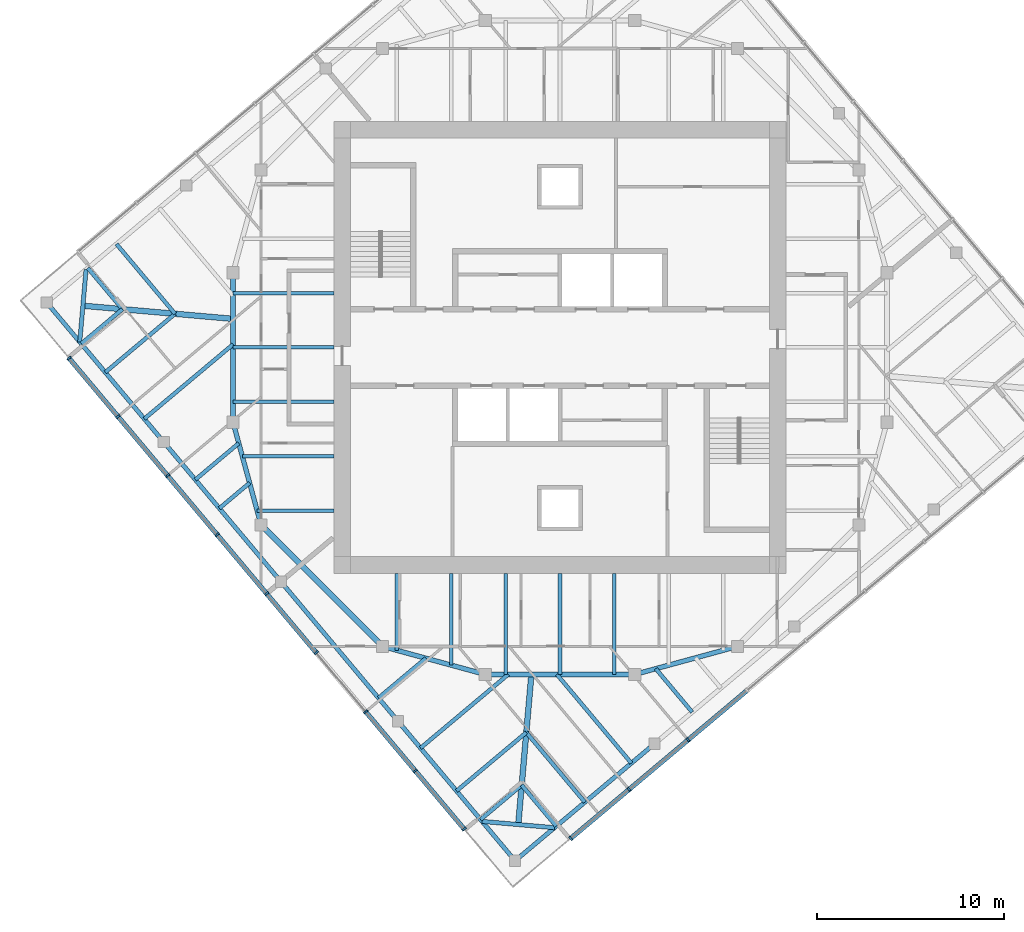
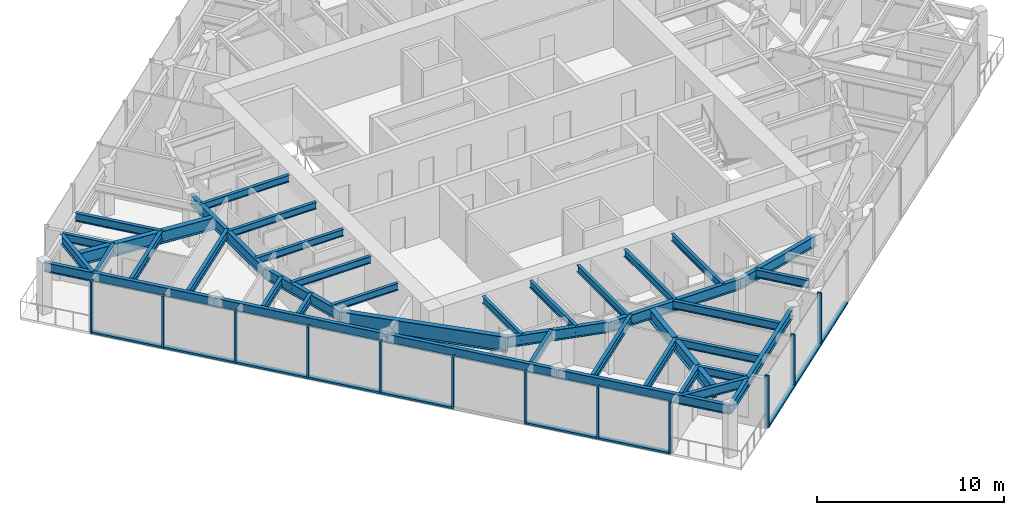
# One storey, part 2 of 12: 40 beams, 22 members, 2 elements without a shape of their own.
"""IFC4 building model written with IfcOpenShell, lengths in metres."""

from ifc_helpers import new_model, si_unit, direction, frame, origin, origin_2d, place, context, subcontext, project, spatial, rectangle, i_section, extrude, material, material_profile, profile_set, type_object, element, aggregate, save


model = new_model("IFC4")

# Units and contexts
model_context = context("Model", 3, precision=1e-05, world=origin(), true_north=direction((0.0, 1.0)))
body_context = subcontext(model_context, "Body", "Model", "MODEL_VIEW")
ifc_project = project(units=[si_unit("LENGTHUNIT", "METRE"), si_unit("AREAUNIT", "SQUARE_METRE"), si_unit("VOLUMEUNIT", "CUBIC_METRE"), si_unit("PLANEANGLEUNIT", "RADIAN"), si_unit("MASSUNIT", "GRAM", prefix="KILO")], contexts=[model_context])

# Site, building, storey
site_placement = place(None, origin())
site = spatial("IfcSite", under=ifc_project, at=site_placement, CompositionType="ELEMENT")
building_placement = place(site_placement, origin())
building = spatial("IfcBuilding", under=site, at=building_placement, Name="Torsade Residences", CompositionType="ELEMENT")
storey_placement = place(building_placement, frame((0.0, 0.0, 282.800048828125)))
storey = spatial("IfcBuildingStorey", under=building, at=storey_placement, Name="L78", CompositionType="ELEMENT", Elevation=282.800048828125)

# Beams
ifc_material_1 = material(Name="Steel grade 300", Category="steel")
ifc_material_profile_1 = material_profile(ifc_material_1, i_section(OverallWidth=0.300048828125, OverallDepth=0.800048828125, WebThickness=0.010009765625, FlangeThickness=0.02001953125, at=origin_2d()), Name="800WB146")
ifc_profile_set_1 = profile_set([ifc_material_profile_1], Name="Steel grade 300")
beam_type_1 = type_object("IfcBeamType", Name="CORNER GIRDER 800WB146", PredefinedType="BEAM", material=ifc_profile_set_1)
for number, where, z_axis, x_axis, name in (
    (1, (37.765869140625, 4.46484375, 2.849853515625), (0.087172957961, 0.996193191806, 0.0), (-0.996193191806, 0.087172957961, 0.0), "Corner girder 01 L79"),
    (2, (14.46484375, 32.234130859375, 2.849853515625), (0.996193191806, -0.087172957961, 0.0), (0.087172957961, 0.996193191806, 0.0), "Corner girder 13 L79"),
):
    element("IfcBeam", number, at=place(storey_placement, frame(where, z_axis=z_axis, x_axis=x_axis)), inside=storey, type_object=beam_type_1, Name=name, PredefinedType="BEAM", context=body_context, shape_type="SweptSolid", body=[
        extrude(i_section(OverallWidth=0.300048828125, OverallDepth=0.800048828125, WebThickness=0.010009765625, FlangeThickness=0.02001953125, at=origin_2d()), origin(), (0.0, 0.0, 1.0), 8.06591796875),
    ])
ifc_material_2 = material(Name="Steel grade 300", Category="steel")
ifc_material_profile_2 = material_profile(ifc_material_2, i_section(OverallWidth=0.22802734375, OverallDepth=0.60205078125, WebThickness=0.010498046875, FlangeThickness=0.014892578125, FilletRadius=0.013916015625, at=origin_2d()), Name="610UB101")
ifc_profile_set_2 = profile_set([ifc_material_profile_2], Name="Steel grade 300")
beam_type_2 = type_object("IfcBeamType", Name="CORNER TRIMMER 610UB101", PredefinedType="BEAM", material=ifc_profile_set_2)
for number, where, z_axis, x_axis, name in (
    (3, (39.703125, 4.29541015625, 2.948974609375), (-0.996196646947, 0.087133464362, 0.0), (-0.087133464362, -0.996196646947, 0.0), "Corner trimmer 01 L79"),
    (4, (14.29541015625, 30.296875, 2.948974609375), (0.087133464362, 0.996196646947, 0.0), (-0.996196646947, 0.087133464362, 0.0), "Corner trimmer 13 L79"),
):
    element("IfcBeam", number, at=place(storey_placement, frame(where, z_axis=z_axis, x_axis=x_axis)), inside=storey, type_object=beam_type_2, Name=name, PredefinedType="BEAM", context=body_context, shape_type="SweptSolid", body=[
        extrude(i_section(OverallWidth=0.22802734375, OverallDepth=0.60205078125, WebThickness=0.010498046875, FlangeThickness=0.014892578125, FilletRadius=0.013916015625, at=origin_2d()), origin(), (0.0, 0.0, 1.0), 3.88916015625),
    ])
ifc_material_3 = material(Name="Steel grade 300", Category="steel")
ifc_material_profile_3 = material_profile(ifc_material_3, i_section(OverallWidth=0.22802734375, OverallDepth=0.60205078125, WebThickness=0.010498046875, FlangeThickness=0.014892578125, FilletRadius=0.013916015625, at=origin_2d()), Name="610UB101")
ifc_profile_set_3 = profile_set([ifc_material_profile_3], Name="Steel grade 300")
beam_type_3 = type_object("IfcBeamType", Name="EDGE BEAM 610UB101", PredefinedType="SPANDREL", material=ifc_profile_set_3)
for number, where, z_axis, x_axis, name in (
    (5, (37.596435546875, 2.52783203125, 2.948974609375), (0.766051532934, 0.642779160279, 0.0), (-0.642779160279, 0.766051532934, 0.0), "Edge beam 01 L79"),
    (6, (12.52783203125, 32.403564453125, 2.948974609375), (0.642779160279, -0.766051532934, 0.0), (0.766051532934, 0.642779160279, 0.0), "Edge beam 13 L79"),
    (7, (18.794921875, 24.9345703125, 2.948974609375), (0.642779160279, -0.766051532934, 0.0), (0.766051532934, 0.642779160279, 0.0), "Edge beam 14 L79"),
    (8, (25.06201171875, 17.465576171875, 2.948974609375), (0.642806184154, -0.766028856906, 0.0), (0.766028856906, 0.642806184154, 0.0), "Edge beam 15 L79"),
    (9, (31.329345703125, 9.996826171875, 2.948974609375), (0.642779160279, -0.766051532934, 0.0), (0.766051532934, 0.642779160279, 0.0), "Edge beam 16 L79"),
):
    element("IfcBeam", number, at=place(storey_placement, frame(where, z_axis=z_axis, x_axis=x_axis)), inside=storey, type_object=beam_type_3, Name=name, PredefinedType="SPANDREL", context=body_context, shape_type="SweptSolid", body=[
        extrude(i_section(OverallWidth=0.22802734375, OverallDepth=0.60205078125, WebThickness=0.010498046875, FlangeThickness=0.014892578125, FilletRadius=0.013916015625, at=origin_2d()), origin(), (0.0, 0.0, 1.0), 9.75),
    ])

# Curtain wall, members
ifc_material_4 = material(Name="Aluminium and glass", Category="aluminium")
curtain_wall_type = type_object("IfcCurtainWallType", Name="FRITTED GLASS CURTAIN WALL HIGH ZONE", PredefinedType="NOTDEFINED", material=ifc_material_4)
curtain_wall_1_placement = place(storey_placement, origin())
curtain_wall_1 = element("IfcCurtainWall", 10, at=curtain_wall_1_placement, inside=storey, type_object=curtain_wall_type, Name="Curtain wall L78 face 1", PredefinedType="NOTDEFINED")
ifc_material_5 = material(Name="Aluminium mullion", Category="aluminium")
ifc_material_profile_4 = material_profile(ifc_material_5, rectangle(XDim=0.25, YDim=0.10009765625, at=origin_2d()), Name="HIGH ZONE CURTAIN WALL MULLION 250x100")
ifc_profile_set_4 = profile_set([ifc_material_profile_4], Name="Aluminium mullion")
member_type_1 = type_object("IfcMemberType", Name="HIGH ZONE CURTAIN WALL MULLION 250x100", PredefinedType="MULLION", material=ifc_profile_set_4)
member_1_placement = place(storey_placement, frame((40.57568359375, 3.72216796875, 0.0), z_axis=(0.0, 0.0, 1.0), x_axis=(-0.642787616853, 0.766044437106, 0.0)))
member_1 = element("IfcMember", 11, at=member_1_placement, type_object=member_type_1, Name="Mullion 1", PredefinedType="MULLION", context=body_context, shape_type="SweptSolid", body=[
    extrude(rectangle(XDim=0.25, YDim=0.10009765625, at=origin_2d()), origin(), (0.0, 0.0, 1.0), 3.39990234375),
])
member_2_placement = place(storey_placement, frame((43.697265625, 6.341552734375, 0.0), z_axis=(0.0, 0.0, 1.0), x_axis=(-0.642787616853, 0.766044437106, 0.0)))
member_2 = element("IfcMember", 12, at=member_2_placement, type_object=member_type_1, Name="Mullion 2", PredefinedType="MULLION", context=body_context, shape_type="SweptSolid", body=[
    extrude(rectangle(XDim=0.25, YDim=0.10009765625, at=origin_2d()), origin(), (0.0, 0.0, 1.0), 3.39990234375),
])
member_3_placement = place(storey_placement, frame((46.857177734375, 8.9931640625, 0.0), z_axis=(0.0, 0.0, 1.0), x_axis=(-0.642787616853, 0.766044437106, 0.0)))
member_3 = element("IfcMember", 13, at=member_3_placement, type_object=member_type_1, Name="Mullion 3", PredefinedType="MULLION", context=body_context, shape_type="SweptSolid", body=[
    extrude(rectangle(XDim=0.25, YDim=0.10009765625, at=origin_2d()), origin(), (0.0, 0.0, 1.0), 3.39990234375),
])

curtain_wall_2_placement = place(storey_placement, origin())
curtain_wall_2 = element("IfcCurtainWall", 14, at=curtain_wall_2_placement, inside=storey, type_object=curtain_wall_type, Name="Curtain wall L78 face 10", PredefinedType="NOTDEFINED")
member_4_placement = place(storey_placement, frame((13.72216796875, 29.42431640625, 0.0), z_axis=(0.0, 0.0, 1.0), x_axis=(0.766044437106, 0.642787616853, 0.0)))
member_4 = element("IfcMember", 15, at=member_4_placement, type_object=member_type_1, Name="Mullion 1", PredefinedType="MULLION", context=body_context, shape_type="SweptSolid", body=[
    extrude(rectangle(XDim=0.25, YDim=0.10009765625, at=origin_2d()), origin(), (0.0, 0.0, 1.0), 3.39990234375),
])
member_5_placement = place(storey_placement, frame((16.341552734375, 26.302734375, 0.0), z_axis=(0.0, 0.0, 1.0), x_axis=(0.766044437106, 0.642787616853, 0.0)))
member_5 = element("IfcMember", 16, at=member_5_placement, type_object=member_type_1, Name="Mullion 2", PredefinedType="MULLION", context=body_context, shape_type="SweptSolid", body=[
    extrude(rectangle(XDim=0.25, YDim=0.10009765625, at=origin_2d()), origin(), (0.0, 0.0, 1.0), 3.39990234375),
])
member_6_placement = place(storey_placement, frame((18.9931640625, 23.142822265625, 0.0), z_axis=(0.0, 0.0, 1.0), x_axis=(0.766044437106, 0.642787616853, 0.0)))
member_6 = element("IfcMember", 17, at=member_6_placement, type_object=member_type_1, Name="Mullion 3", PredefinedType="MULLION", context=body_context, shape_type="SweptSolid", body=[
    extrude(rectangle(XDim=0.25, YDim=0.10009765625, at=origin_2d()), origin(), (0.0, 0.0, 1.0), 3.39990234375),
])
member_7_placement = place(storey_placement, frame((21.64453125, 19.982666015625, 0.0), z_axis=(0.0, 0.0, 1.0), x_axis=(0.766044437106, 0.642787616853, 0.0)))
member_7 = element("IfcMember", 18, at=member_7_placement, type_object=member_type_1, Name="Mullion 4", PredefinedType="MULLION", context=body_context, shape_type="SweptSolid", body=[
    extrude(rectangle(XDim=0.25, YDim=0.10009765625, at=origin_2d()), origin(), (0.0, 0.0, 1.0), 3.39990234375),
])
member_8_placement = place(storey_placement, frame((24.296142578125, 16.82275390625, 0.0), z_axis=(0.0, 0.0, 1.0), x_axis=(0.766044437106, 0.642787616853, 0.0)))
member_8 = element("IfcMember", 19, at=member_8_placement, type_object=member_type_1, Name="Mullion 5", PredefinedType="MULLION", context=body_context, shape_type="SweptSolid", body=[
    extrude(rectangle(XDim=0.25, YDim=0.10009765625, at=origin_2d()), origin(), (0.0, 0.0, 1.0), 3.39990234375),
])
member_9_placement = place(storey_placement, frame((26.947509765625, 13.662841796875, 0.0), z_axis=(0.0, 0.0, 1.0), x_axis=(0.766044437106, 0.642787616853, 0.0)))
member_9 = element("IfcMember", 20, at=member_9_placement, type_object=member_type_1, Name="Mullion 6", PredefinedType="MULLION", context=body_context, shape_type="SweptSolid", body=[
    extrude(rectangle(XDim=0.25, YDim=0.10009765625, at=origin_2d()), origin(), (0.0, 0.0, 1.0), 3.39990234375),
])
member_10_placement = place(storey_placement, frame((29.59912109375, 10.5029296875, 0.0), z_axis=(0.0, 0.0, 1.0), x_axis=(0.766044437106, 0.642787616853, 0.0)))
member_10 = element("IfcMember", 21, at=member_10_placement, type_object=member_type_1, Name="Mullion 7", PredefinedType="MULLION", context=body_context, shape_type="SweptSolid", body=[
    extrude(rectangle(XDim=0.25, YDim=0.10009765625, at=origin_2d()), origin(), (0.0, 0.0, 1.0), 3.39990234375),
])
member_11_placement = place(storey_placement, frame((32.25048828125, 7.343017578125, 0.0), z_axis=(0.0, 0.0, 1.0), x_axis=(0.766044437106, 0.642787616853, 0.0)))
member_11 = element("IfcMember", 22, at=member_11_placement, type_object=member_type_1, Name="Mullion 8", PredefinedType="MULLION", context=body_context, shape_type="SweptSolid", body=[
    extrude(rectangle(XDim=0.25, YDim=0.10009765625, at=origin_2d()), origin(), (0.0, 0.0, 1.0), 3.39990234375),
])
member_12_placement = place(storey_placement, frame((34.869873046875, 4.221435546875, 0.0), z_axis=(0.0, 0.0, 1.0), x_axis=(0.766044437106, 0.642787616853, 0.0)))
member_12 = element("IfcMember", 23, at=member_12_placement, type_object=member_type_1, Name="Mullion 9", PredefinedType="MULLION", context=body_context, shape_type="SweptSolid", body=[
    extrude(rectangle(XDim=0.25, YDim=0.10009765625, at=origin_2d()), origin(), (0.0, 0.0, 1.0), 3.39990234375),
])

# Member
ifc_material_6 = material(Name="Aluminium transom", Category="aluminium")
ifc_material_profile_5 = material_profile(ifc_material_6, rectangle(XDim=0.25, YDim=0.1201171875, at=origin_2d()), Name="HIGH ZONE CURTAIN WALL TRANSOM 250x120")
ifc_profile_set_5 = profile_set([ifc_material_profile_5], Name="Aluminium transom")
member_type_2 = type_object("IfcMemberType", Name="HIGH ZONE CURTAIN WALL TRANSOM 250x120", PredefinedType="USERDEFINED", material=ifc_profile_set_5)
member_13_placement = place(storey_placement, frame((40.614013671875, 3.75439453125, 0.06005859375), z_axis=(0.766021778456, 0.642814619413, 0.0), x_axis=(-0.642814619413, 0.766021778456, 0.0)))
member_13 = element("IfcMember", 24, at=member_13_placement, type_object=member_type_2, Name="Transom 1.1", ObjectType="TRANSOM", PredefinedType="USERDEFINED", context=body_context, shape_type="SweptSolid", body=[
    extrude(rectangle(XDim=0.25, YDim=0.1201171875, at=origin_2d()), origin(), (0.0, 0.0, 1.0), 3.97509765625),
])

member_14_placement = place(storey_placement, frame((43.735595703125, 6.373779296875, 0.06005859375), z_axis=(0.766069182322, 0.6427581255, 0.0), x_axis=(-0.6427581255, 0.766069182322, 0.0)))
member_14 = element("IfcMember", 25, at=member_14_placement, type_object=member_type_2, Name="Transom 2.1", ObjectType="TRANSOM", PredefinedType="USERDEFINED", context=body_context, shape_type="SweptSolid", body=[
    extrude(rectangle(XDim=0.25, YDim=0.1201171875, at=origin_2d()), origin(), (0.0, 0.0, 1.0), 4.025146484375),
])

member_15_placement = place(storey_placement, frame((46.8955078125, 9.025146484375, 0.06005859375), z_axis=(0.766039316443, 0.642793719372, 0.0), x_axis=(-0.642793719372, 0.766039316443, 0.0)))
member_15 = element("IfcMember", 26, at=member_15_placement, type_object=member_type_2, Name="Transom 3.1", ObjectType="TRANSOM", PredefinedType="USERDEFINED", context=body_context, shape_type="SweptSolid", body=[
    extrude(rectangle(XDim=0.25, YDim=0.1201171875, at=origin_2d()), origin(), (0.0, 0.0, 1.0), 4.025146484375),
])

aggregate(curtain_wall_1, [member_1, member_2, member_3, member_13, member_14, member_15])

member_16_placement = place(storey_placement, frame((13.75439453125, 29.385986328125, 0.06005859375), z_axis=(0.642814619413, -0.766021778456, 0.0), x_axis=(0.766021778456, 0.642814619413, 0.0)))
member_16 = element("IfcMember", 27, at=member_16_placement, type_object=member_type_2, Name="Transom 1.1", ObjectType="TRANSOM", PredefinedType="USERDEFINED", context=body_context, shape_type="SweptSolid", body=[
    extrude(rectangle(XDim=0.25, YDim=0.1201171875, at=origin_2d()), origin(), (0.0, 0.0, 1.0), 3.97509765625),
])

member_17_placement = place(storey_placement, frame((16.373779296875, 26.264404296875, 0.06005859375), z_axis=(0.6427581255, -0.766069182322, 0.0), x_axis=(0.766069182322, 0.6427581255, 0.0)))
member_17 = element("IfcMember", 28, at=member_17_placement, type_object=member_type_2, Name="Transom 2.1", ObjectType="TRANSOM", PredefinedType="USERDEFINED", context=body_context, shape_type="SweptSolid", body=[
    extrude(rectangle(XDim=0.25, YDim=0.1201171875, at=origin_2d()), origin(), (0.0, 0.0, 1.0), 4.025146484375),
])

member_18_placement = place(storey_placement, frame((19.025146484375, 23.1044921875, 0.06005859375), z_axis=(0.642793719372, -0.766039316443, 0.0), x_axis=(0.766039316443, 0.642793719372, 0.0)))
member_18 = element("IfcMember", 29, at=member_18_placement, type_object=member_type_2, Name="Transom 3.1", ObjectType="TRANSOM", PredefinedType="USERDEFINED", context=body_context, shape_type="SweptSolid", body=[
    extrude(rectangle(XDim=0.25, YDim=0.1201171875, at=origin_2d()), origin(), (0.0, 0.0, 1.0), 4.025146484375),
])

member_19_placement = place(storey_placement, frame((21.6767578125, 19.944580078125, 0.06005859375), z_axis=(0.6427581255, -0.766069182322, 0.0), x_axis=(0.766069182322, 0.6427581255, 0.0)))
member_19 = element("IfcMember", 30, at=member_19_placement, type_object=member_type_2, Name="Transom 4.1", ObjectType="TRANSOM", PredefinedType="USERDEFINED", context=body_context, shape_type="SweptSolid", body=[
    extrude(rectangle(XDim=0.25, YDim=0.1201171875, at=origin_2d()), origin(), (0.0, 0.0, 1.0), 4.025146484375),
])

member_20_placement = place(storey_placement, frame((24.328125, 16.78466796875, 0.06005859375), z_axis=(0.642793719372, -0.766039316443, 0.0), x_axis=(0.766039316443, 0.642793719372, 0.0)))
member_20 = element("IfcMember", 31, at=member_20_placement, type_object=member_type_2, Name="Transom 5.1", ObjectType="TRANSOM", PredefinedType="USERDEFINED", context=body_context, shape_type="SweptSolid", body=[
    extrude(rectangle(XDim=0.25, YDim=0.1201171875, at=origin_2d()), origin(), (0.0, 0.0, 1.0), 4.025146484375),
])

member_21_placement = place(storey_placement, frame((29.63134765625, 10.464599609375, 0.06005859375), z_axis=(0.642787992616, -0.766044121803, 0.0), x_axis=(0.766044121803, 0.642787992616, 0.0)))
member_21 = element("IfcMember", 32, at=member_21_placement, type_object=member_type_2, Name="Transom 7.1", ObjectType="TRANSOM", PredefinedType="USERDEFINED", context=body_context, shape_type="SweptSolid", body=[
    extrude(rectangle(XDim=0.25, YDim=0.1201171875, at=origin_2d()), origin(), (0.0, 0.0, 1.0), 4.02490234375),
])

member_22_placement = place(storey_placement, frame((32.28271484375, 7.3046875, 0.06005859375), z_axis=(0.642814619413, -0.766021778456, 0.0), x_axis=(0.766021778456, 0.642814619413, 0.0)))
member_22 = element("IfcMember", 33, at=member_22_placement, type_object=member_type_2, Name="Transom 8.1", ObjectType="TRANSOM", PredefinedType="USERDEFINED", context=body_context, shape_type="SweptSolid", body=[
    extrude(rectangle(XDim=0.25, YDim=0.1201171875, at=origin_2d()), origin(), (0.0, 0.0, 1.0), 3.97509765625),
])

aggregate(curtain_wall_2, [member_4, member_5, member_6, member_7, member_8, member_9, member_10, member_11, member_12, member_16, member_17, member_18, member_19, member_20, member_21, member_22])

# Beams
ifc_material_7 = material(Name="Steel grade 300", Category="steel")
ifc_material_profile_6 = material_profile(ifc_material_7, i_section(OverallWidth=0.18994140625, OverallDepth=0.4541015625, WebThickness=0.008544921875, FlangeThickness=0.0126953125, FilletRadius=0.011474609375, at=origin_2d()), Name="460UB67.1")
ifc_profile_set_6 = profile_set([ifc_material_profile_6], Name="Steel grade 300")
beam_type_4 = type_object("IfcBeamType", Name="INNER FLOOR BEAM 460UB67.1", PredefinedType="JOIST", material=ifc_profile_set_6)
for number, where, z_axis, x_axis, name in (
    (34, (42.91259765625, 17.89990234375, 3.02294921875), (0.0, -1.0, 0.0), (1.0, 0.0, 0.0), "Inner floor beam IS03 L79"),
    (35, (40.0, 17.89990234375, 3.02294921875), (0.0, -1.0, 0.0), (1.0, 0.0, 0.0), "Inner floor beam IS04 L79"),
    (36, (37.08740234375, 17.89990234375, 3.02294921875), (0.0, -1.0, 0.0), (1.0, 0.0, 0.0), "Inner floor beam IS05 L79"),
):
    element("IfcBeam", number, at=place(storey_placement, frame(where, z_axis=z_axis, x_axis=x_axis)), inside=storey, type_object=beam_type_4, Name=name, PredefinedType="JOIST", context=body_context, shape_type="SweptSolid", body=[
        extrude(i_section(OverallWidth=0.18994140625, OverallDepth=0.4541015625, WebThickness=0.008544921875, FlangeThickness=0.0126953125, FilletRadius=0.011474609375, at=origin_2d()), origin(), (0.0, 0.0, 1.0), 5.39990234375),
    ])
beam_1_placement = place(storey_placement, frame((34.175048828125, 17.89990234375, 3.02294921875), z_axis=(0.0, -1.0, 0.0), x_axis=(1.0, 0.0, 0.0)))
element("IfcBeam", 37, at=beam_1_placement, inside=storey, type_object=beam_type_4, Name="Inner floor beam IS06 L79", PredefinedType="JOIST", context=body_context, shape_type="SweptSolid", body=[
    extrude(i_section(OverallWidth=0.18994140625, OverallDepth=0.4541015625, WebThickness=0.008544921875, FlangeThickness=0.0126953125, FilletRadius=0.011474609375, at=origin_2d()), origin(), (0.0, 0.0, 1.0), 4.902099609375),
])
beam_2_placement = place(storey_placement, frame((31.262451171875, 17.89990234375, 3.02294921875), z_axis=(0.0, -1.0, 0.0), x_axis=(1.0, 0.0, 0.0)))
element("IfcBeam", 38, at=beam_2_placement, inside=storey, type_object=beam_type_4, Name="Inner floor beam IS07 L79", PredefinedType="JOIST", context=body_context, shape_type="SweptSolid", body=[
    extrude(i_section(OverallWidth=0.18994140625, OverallDepth=0.4541015625, WebThickness=0.008544921875, FlangeThickness=0.0126953125, FilletRadius=0.011474609375, at=origin_2d()), origin(), (0.0, 0.0, 1.0), 4.10791015625),
])
for number, where, z_axis, x_axis, name in (
    (39, (27.89990234375, 32.91259765625, 3.02294921875), (-1.0, 0.0, 0.0), (0.0, -1.0, 0.0), "Inner floor beam IW03 L79"),
    (40, (27.89990234375, 30.0, 3.02294921875), (-1.0, 0.0, 0.0), (0.0, -1.0, 0.0), "Inner floor beam IW04 L79"),
    (41, (27.89990234375, 27.08740234375, 3.02294921875), (-1.0, 0.0, 0.0), (0.0, -1.0, 0.0), "Inner floor beam IW05 L79"),
):
    element("IfcBeam", number, at=place(storey_placement, frame(where, z_axis=z_axis, x_axis=x_axis)), inside=storey, type_object=beam_type_4, Name=name, PredefinedType="JOIST", context=body_context, shape_type="SweptSolid", body=[
        extrude(i_section(OverallWidth=0.18994140625, OverallDepth=0.4541015625, WebThickness=0.008544921875, FlangeThickness=0.0126953125, FilletRadius=0.011474609375, at=origin_2d()), origin(), (0.0, 0.0, 1.0), 5.39990234375),
    ])
beam_3_placement = place(storey_placement, frame((27.89990234375, 24.175048828125, 3.02294921875), z_axis=(-1.0, 0.0, 0.0), x_axis=(0.0, -1.0, 0.0)))
element("IfcBeam", 42, at=beam_3_placement, inside=storey, type_object=beam_type_4, Name="Inner floor beam IW06 L79", PredefinedType="JOIST", context=body_context, shape_type="SweptSolid", body=[
    extrude(i_section(OverallWidth=0.18994140625, OverallDepth=0.4541015625, WebThickness=0.008544921875, FlangeThickness=0.0126953125, FilletRadius=0.011474609375, at=origin_2d()), origin(), (0.0, 0.0, 1.0), 4.902099609375),
])
beam_4_placement = place(storey_placement, frame((27.89990234375, 21.262451171875, 3.02294921875), z_axis=(-1.0, 0.0, 0.0), x_axis=(0.0, -1.0, 0.0)))
element("IfcBeam", 43, at=beam_4_placement, inside=storey, type_object=beam_type_4, Name="Inner floor beam IW07 L79", PredefinedType="JOIST", context=body_context, shape_type="SweptSolid", body=[
    extrude(i_section(OverallWidth=0.18994140625, OverallDepth=0.4541015625, WebThickness=0.008544921875, FlangeThickness=0.0126953125, FilletRadius=0.011474609375, at=origin_2d()), origin(), (0.0, 0.0, 1.0), 4.10791015625),
])
ifc_material_8 = material(Name="Steel grade 300", Category="steel")
ifc_material_profile_7 = material_profile(ifc_material_8, i_section(OverallWidth=0.300048828125, OverallDepth=1.0, WebThickness=0.01611328125, FlangeThickness=0.028076171875, at=origin_2d()), Name="1000WB215")
ifc_profile_set_7 = profile_set([ifc_material_profile_7], Name="Steel grade 300")
beam_type_5 = type_object("IfcBeamType", Name="RING CORNER GIRDER 1000WB215", PredefinedType="BEAM", material=ifc_profile_set_7)
beam_5_placement = place(storey_placement, frame((24.0, 20.5, 2.75), z_axis=(0.707106781187, -0.707106781187, 0.0), x_axis=(0.707106781187, 0.707106781187, 0.0)))
element("IfcBeam", 44, at=beam_5_placement, inside=storey, type_object=beam_type_5, Name="Ring girder IR11 L79", PredefinedType="BEAM", context=body_context, shape_type="SweptSolid", body=[
    extrude(i_section(OverallWidth=0.300048828125, OverallDepth=1.0, WebThickness=0.01611328125, FlangeThickness=0.028076171875, at=origin_2d()), origin(), (0.0, 0.0, 1.0), 9.1923828125),
])
ifc_material_9 = material(Name="Steel grade 300", Category="steel")
ifc_material_profile_8 = material_profile(ifc_material_9, i_section(OverallWidth=0.25, OverallDepth=0.699951171875, WebThickness=0.010009765625, FlangeThickness=0.02001953125, at=origin_2d()), Name="700WB130")
ifc_profile_set_8 = profile_set([ifc_material_profile_8], Name="Steel grade 300")
beam_type_6 = type_object("IfcBeamType", Name="RING GIRDER 700WB130", PredefinedType="BEAM", material=ifc_profile_set_8)
beam_6_placement = place(storey_placement, frame((22.5, 34.0, 2.89990234375), z_axis=(0.0, -1.0, 0.0), x_axis=(1.0, 0.0, 0.0)))
element("IfcBeam", 45, at=beam_6_placement, inside=storey, type_object=beam_type_6, Name="Ring girder IR09 L79", PredefinedType="BEAM", context=body_context, shape_type="SweptSolid", body=[
    extrude(i_section(OverallWidth=0.25, OverallDepth=0.699951171875, WebThickness=0.010009765625, FlangeThickness=0.02001953125, at=origin_2d()), origin(), (0.0, 0.0, 1.0), 8.0),
])
for number, where, z_axis, x_axis, name in (
    (46, (22.5, 26.0, 2.89990234375), (0.263117405792, -0.964763821238, 0.0), (0.964763821238, 0.263117405792, 0.0), "Ring girder IR10 L79"),
    (47, (30.5, 14.0, 2.89990234375), (0.964763821238, -0.263117405792, 0.0), (0.263117405792, 0.964763821238, 0.0), "Ring girder IR12 L79"),
):
    element("IfcBeam", number, at=place(storey_placement, frame(where, z_axis=z_axis, x_axis=x_axis)), inside=storey, type_object=beam_type_6, Name=name, PredefinedType="BEAM", context=body_context, shape_type="SweptSolid", body=[
        extrude(i_section(OverallWidth=0.25, OverallDepth=0.699951171875, WebThickness=0.010009765625, FlangeThickness=0.02001953125, at=origin_2d()), origin(), (0.0, 0.0, 1.0), 5.700927734375),
    ])
beam_7_placement = place(storey_placement, frame((36.0, 12.5, 2.89990234375), z_axis=(1.0, 0.0, 0.0), x_axis=(0.0, 1.0, 0.0)))
element("IfcBeam", 48, at=beam_7_placement, inside=storey, type_object=beam_type_6, Name="Ring girder IR13 L79", PredefinedType="BEAM", context=body_context, shape_type="SweptSolid", body=[
    extrude(i_section(OverallWidth=0.25, OverallDepth=0.699951171875, WebThickness=0.010009765625, FlangeThickness=0.02001953125, at=origin_2d()), origin(), (0.0, 0.0, 1.0), 8.0),
])
beam_8_placement = place(storey_placement, frame((44.0, 12.5, 2.89990234375), z_axis=(0.964763821238, 0.263117405792, 0.0), x_axis=(-0.263117405792, 0.964763821238, 0.0)))
element("IfcBeam", 49, at=beam_8_placement, inside=storey, type_object=beam_type_6, Name="Ring girder IR14 L79", PredefinedType="BEAM", context=body_context, shape_type="SweptSolid", body=[
    extrude(i_section(OverallWidth=0.25, OverallDepth=0.699951171875, WebThickness=0.010009765625, FlangeThickness=0.02001953125, at=origin_2d()), origin(), (0.0, 0.0, 1.0), 5.700927734375),
])
ifc_material_10 = material(Name="Steel grade 300", Category="steel")
ifc_material_profile_9 = material_profile(ifc_material_10, i_section(OverallWidth=0.208984375, OverallDepth=0.532958984375, WebThickness=0.01025390625, FlangeThickness=0.015625, FilletRadius=0.013916015625, at=origin_2d()), Name="530UB92.4")
ifc_profile_set_9 = profile_set([ifc_material_profile_9], Name="Steel grade 300")
beam_type_7 = type_object("IfcBeamType", Name="SECONDARY BEAM 530UB92.4", PredefinedType="JOIST", material=ifc_profile_set_9)
beam_9_placement = place(storey_placement, frame((39.798828125, 4.375732421875, 2.9833984375), z_axis=(-0.642761807001, 0.766066093402, 0.0), x_axis=(-0.766066093402, -0.642761807001, 0.0)))
element("IfcBeam", 50, at=beam_9_placement, inside=storey, type_object=beam_type_7, Name="Floor beam FS01 L79", PredefinedType="JOIST", context=body_context, shape_type="SweptSolid", body=[
    extrude(i_section(OverallWidth=0.208984375, OverallDepth=0.532958984375, WebThickness=0.01025390625, FlangeThickness=0.015625, FilletRadius=0.013916015625, at=origin_2d()), origin(), (0.0, 0.0, 1.0), 2.875),
])
beam_10_placement = place(storey_placement, frame((41.3310546875, 5.661376953125, 2.9833984375), z_axis=(-0.642820877376, 0.766016526982, 0.0), x_axis=(-0.766016526982, -0.642820877376, 0.0)))
element("IfcBeam", 51, at=beam_10_placement, inside=storey, type_object=beam_type_7, Name="Floor beam FS02 L79", PredefinedType="JOIST", context=body_context, shape_type="SweptSolid", body=[
    extrude(i_section(OverallWidth=0.208984375, OverallDepth=0.532958984375, WebThickness=0.01025390625, FlangeThickness=0.015625, FilletRadius=0.013916015625, at=origin_2d()), origin(), (0.0, 0.0, 1.0), 4.875),
])
beam_11_placement = place(storey_placement, frame((43.820556640625, 7.75048828125, 2.9833984375), z_axis=(-0.642791209238, 0.766041422722, 0.0), x_axis=(-0.766041422722, -0.642791209238, 0.0)))
element("IfcBeam", 52, at=beam_11_placement, inside=storey, type_object=beam_type_7, Name="Floor beam FS03 L79", PredefinedType="JOIST", context=body_context, shape_type="SweptSolid", body=[
    extrude(i_section(OverallWidth=0.208984375, OverallDepth=0.532958984375, WebThickness=0.01025390625, FlangeThickness=0.015625, FilletRadius=0.013916015625, at=origin_2d()), origin(), (0.0, 0.0, 1.0), 6.199951171875),
])
beam_12_placement = place(storey_placement, frame((47.076171875, 10.482177734375, 2.9833984375), z_axis=(-0.64274480196, 0.766080361029, 0.0), x_axis=(-0.766080361029, -0.64274480196, 0.0)))
element("IfcBeam", 53, at=beam_12_placement, inside=storey, type_object=beam_type_7, Name="Floor beam FS04 L79", PredefinedType="JOIST", context=body_context, shape_type="SweptSolid", body=[
    extrude(i_section(OverallWidth=0.208984375, OverallDepth=0.532958984375, WebThickness=0.01025390625, FlangeThickness=0.015625, FilletRadius=0.013916015625, at=origin_2d()), origin(), (0.0, 0.0, 1.0), 3.03466796875),
])
beam_13_placement = place(storey_placement, frame((16.26220703125, 35.537109375, 2.9833984375), z_axis=(0.642791490223, -0.766041186946, 0.0), x_axis=(0.766041186946, 0.642791490223, 0.0)))
element("IfcBeam", 54, at=beam_13_placement, inside=storey, type_object=beam_type_7, Name="Floor beam FN11 L79", PredefinedType="JOIST", context=body_context, shape_type="SweptSolid", body=[
    extrude(i_section(OverallWidth=0.208984375, OverallDepth=0.532958984375, WebThickness=0.01025390625, FlangeThickness=0.015625, FilletRadius=0.013916015625, at=origin_2d()), origin(), (0.0, 0.0, 1.0), 4.875),
])
for number, where, z_axis, x_axis, name in (
    (55, (14.730224609375, 34.25146484375, 2.9833984375), (0.642761807001, -0.766066093402, 0.0), (0.766066093402, 0.642761807001, 0.0), "Floor beam FN12 L79"),
    (56, (14.375732421875, 30.201171875, 2.9833984375), (0.766066093402, 0.642761807001, 0.0), (-0.642761807001, 0.766066093402, 0.0), "Floor beam FW01 L79"),
):
    element("IfcBeam", number, at=place(storey_placement, frame(where, z_axis=z_axis, x_axis=x_axis)), inside=storey, type_object=beam_type_7, Name=name, PredefinedType="JOIST", context=body_context, shape_type="SweptSolid", body=[
        extrude(i_section(OverallWidth=0.208984375, OverallDepth=0.532958984375, WebThickness=0.01025390625, FlangeThickness=0.015625, FilletRadius=0.013916015625, at=origin_2d()), origin(), (0.0, 0.0, 1.0), 2.875),
    ])
beam_14_placement = place(storey_placement, frame((15.661376953125, 28.6689453125, 2.9833984375), z_axis=(0.766016526982, 0.642820877376, 0.0), x_axis=(-0.642820877376, 0.766016526982, 0.0)))
element("IfcBeam", 57, at=beam_14_placement, inside=storey, type_object=beam_type_7, Name="Floor beam FW02 L79", PredefinedType="JOIST", context=body_context, shape_type="SweptSolid", body=[
    extrude(i_section(OverallWidth=0.208984375, OverallDepth=0.532958984375, WebThickness=0.01025390625, FlangeThickness=0.015625, FilletRadius=0.013916015625, at=origin_2d()), origin(), (0.0, 0.0, 1.0), 4.875),
])
beam_15_placement = place(storey_placement, frame((17.75048828125, 26.179443359375, 2.9833984375), z_axis=(0.766041422722, 0.642791209238, 0.0), x_axis=(-0.642791209238, 0.766041422722, 0.0)))
element("IfcBeam", 58, at=beam_15_placement, inside=storey, type_object=beam_type_7, Name="Floor beam FW03 L79", PredefinedType="JOIST", context=body_context, shape_type="SweptSolid", body=[
    extrude(i_section(OverallWidth=0.208984375, OverallDepth=0.532958984375, WebThickness=0.01025390625, FlangeThickness=0.015625, FilletRadius=0.013916015625, at=origin_2d()), origin(), (0.0, 0.0, 1.0), 6.199951171875),
])
beam_16_placement = place(storey_placement, frame((20.482177734375, 22.923828125, 2.9833984375), z_axis=(0.766080361029, 0.64274480196, 0.0), x_axis=(-0.64274480196, 0.766080361029, 0.0)))
element("IfcBeam", 59, at=beam_16_placement, inside=storey, type_object=beam_type_7, Name="Floor beam FW04 L79", PredefinedType="JOIST", context=body_context, shape_type="SweptSolid", body=[
    extrude(i_section(OverallWidth=0.208984375, OverallDepth=0.532958984375, WebThickness=0.01025390625, FlangeThickness=0.015625, FilletRadius=0.013916015625, at=origin_2d()), origin(), (0.0, 0.0, 1.0), 3.03466796875),
])
beam_17_placement = place(storey_placement, frame((21.767822265625, 21.3916015625, 2.9833984375), z_axis=(0.766057560226, 0.642771977004, 0.0), x_axis=(-0.642771977004, 0.766057560226, 0.0)))
element("IfcBeam", 60, at=beam_17_placement, inside=storey, type_object=beam_type_7, Name="Floor beam FW05 L79", PredefinedType="JOIST", context=body_context, shape_type="SweptSolid", body=[
    extrude(i_section(OverallWidth=0.208984375, OverallDepth=0.532958984375, WebThickness=0.01025390625, FlangeThickness=0.015625, FilletRadius=0.013916015625, at=origin_2d()), origin(), (0.0, 0.0, 1.0), 2.113037109375),
])
beam_18_placement = place(storey_placement, frame((30.28466796875, 11.241455078125, 2.9833984375), z_axis=(0.766044990879, 0.642786956891, 0.0), x_axis=(-0.642786956891, 0.766044990879, 0.0)))
element("IfcBeam", 61, at=beam_18_placement, inside=storey, type_object=beam_type_7, Name="Floor beam FW09 L79", PredefinedType="JOIST", context=body_context, shape_type="SweptSolid", body=[
    extrude(i_section(OverallWidth=0.208984375, OverallDepth=0.532958984375, WebThickness=0.01025390625, FlangeThickness=0.015625, FilletRadius=0.013916015625, at=origin_2d()), origin(), (0.0, 0.0, 1.0), 3.307861328125),
])
beam_19_placement = place(storey_placement, frame((32.534423828125, 8.560302734375, 2.9833984375), z_axis=(0.766039049329, 0.642794037701, 0.0), x_axis=(-0.642794037701, 0.766039049329, 0.0)))
element("IfcBeam", 62, at=beam_19_placement, inside=storey, type_object=beam_type_7, Name="Floor beam FW10 L79", PredefinedType="JOIST", context=body_context, shape_type="SweptSolid", body=[
    extrude(i_section(OverallWidth=0.208984375, OverallDepth=0.532958984375, WebThickness=0.01025390625, FlangeThickness=0.015625, FilletRadius=0.013916015625, at=origin_2d()), origin(), (0.0, 0.0, 1.0), 6.12890625),
])
beam_20_placement = place(storey_placement, frame((34.462890625, 6.26220703125, 2.9833984375), z_axis=(0.766041186946, 0.642791490223, 0.0), x_axis=(-0.642791490223, 0.766041186946, 0.0)))
element("IfcBeam", 63, at=beam_20_placement, inside=storey, type_object=beam_type_7, Name="Floor beam FW11 L79", PredefinedType="JOIST", context=body_context, shape_type="SweptSolid", body=[
    extrude(i_section(OverallWidth=0.208984375, OverallDepth=0.532958984375, WebThickness=0.01025390625, FlangeThickness=0.015625, FilletRadius=0.013916015625, at=origin_2d()), origin(), (0.0, 0.0, 1.0), 4.875),
])
beam_21_placement = place(storey_placement, frame((35.74853515625, 4.730224609375, 2.9833984375), z_axis=(0.766066093402, 0.642761807001, 0.0), x_axis=(-0.642761807001, 0.766066093402, 0.0)))
element("IfcBeam", 64, at=beam_21_placement, inside=storey, type_object=beam_type_7, Name="Floor beam FW12 L79", PredefinedType="JOIST", context=body_context, shape_type="SweptSolid", body=[
    extrude(i_section(OverallWidth=0.208984375, OverallDepth=0.532958984375, WebThickness=0.01025390625, FlangeThickness=0.015625, FilletRadius=0.013916015625, at=origin_2d()), origin(), (0.0, 0.0, 1.0), 2.875),
])

save(model, "model.ifc")
